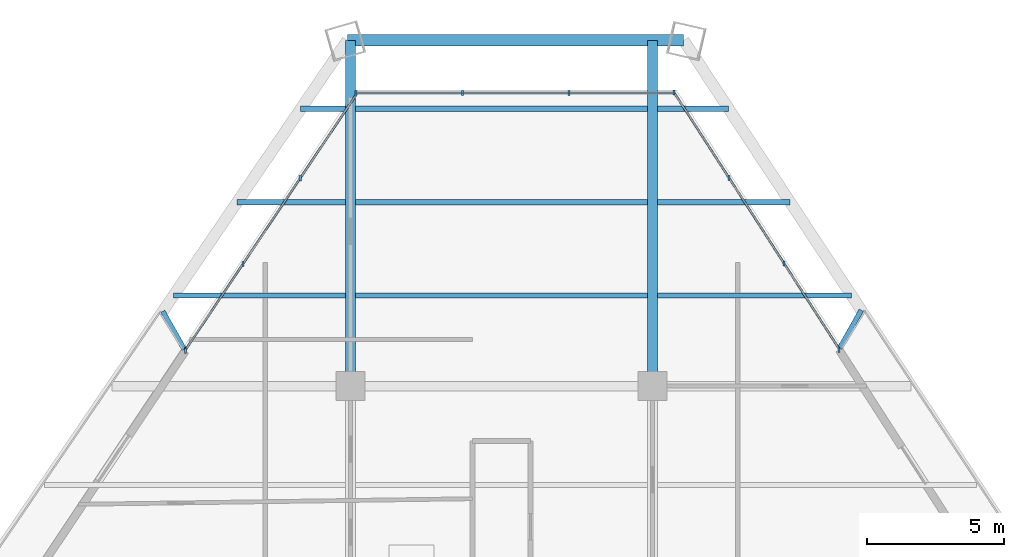
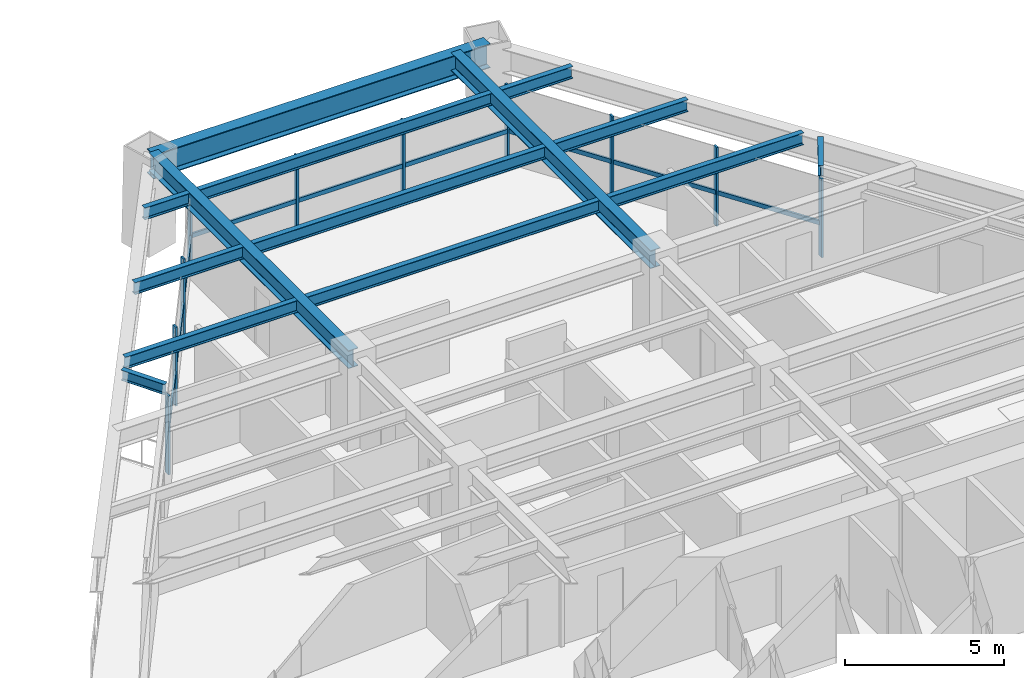
# One storey, part 8 of 14: 20 members, 14 beams, 3 elements without a shape of their own.
"""IFC4 building model written with IfcOpenShell, lengths in metres."""

from ifc_helpers import new_model, si_unit, direction, frame, origin, origin_2d, place, context, subcontext, project, spatial, rectangle, i_section, extrude, source, transform, mapped, material, material_profile, profile_set, type_object, type_shapes, element, aggregate, save


model = new_model("IFC4")

# Units and contexts
model_context = context("Model", 3, precision=1e-05, world=origin(), true_north=direction((0.0, 1.0)))
body_context = subcontext(model_context, "Body", "Model", "MODEL_VIEW")
ifc_project = project(units=[si_unit("LENGTHUNIT", "METRE"), si_unit("AREAUNIT", "SQUARE_METRE"), si_unit("VOLUMEUNIT", "CUBIC_METRE"), si_unit("PLANEANGLEUNIT", "RADIAN"), si_unit("MASSUNIT", "GRAM", prefix="KILO")], contexts=[model_context])

# Site, building, storey
site_placement = place(None, origin())
site = spatial("IfcSite", under=ifc_project, at=site_placement, CompositionType="ELEMENT")
building_placement = place(site_placement, origin())
building = spatial("IfcBuilding", under=site, at=building_placement, Name="Varnakhor Terracotta Tower", CompositionType="ELEMENT")
storey_placement = place(building_placement, frame((0.0, 0.0, 106.199951171875)))
storey = spatial("IfcBuildingStorey", under=building, at=storey_placement, Name="L26", CompositionType="ELEMENT", Elevation=106.199951171875)

# Beams
ifc_material_1 = material(Name="Steel S355", Category="steel")
ifc_material_profile_1 = material_profile(ifc_material_1, i_section(OverallWidth=0.19189453125, OverallDepth=0.462890625, WebThickness=0.010498046875, FlangeThickness=0.017578125, FilletRadius=0.01806640625, at=origin_2d()), Name="W18X60")
ifc_profile_set_1 = profile_set([ifc_material_profile_1], Name="Steel S355")
beam_type_1 = type_object("IfcBeamType", Name="JST-W18X60", PredefinedType="JOIST", material=ifc_profile_set_1)
shared_shape_1 = source(origin(), body_context, "Body", "SweptSolid", [
    extrude(i_section(OverallWidth=0.19189453125, OverallDepth=0.462890625, WebThickness=0.010498046875, FlangeThickness=0.017578125, FilletRadius=0.01806640625, at=origin_2d()), origin(), (0.0, 0.0, 1.0), 10.65283203125),
])
for number, where, z_axis, x_axis, name in (
    (1, (-5.326416015625, 34.800048828125, 3.218505859375), (1.0, 0.0, 0.0), (0.0, 1.0, 0.0), "L26 Composite Floor Joist 7-2"),
    (2, (-5.326416015625, 38.199951171875, 3.218505859375), (1.0, 0.0, 0.0), (0.0, 1.0, 0.0), "L26 Composite Floor Joist 8-2"),
    (3, (-5.326416015625, 41.60009765625, 3.218505859375), (1.0, 0.0, 0.0), (0.0, 1.0, 0.0), "L26 Composite Floor Joist 9-2"),
):
    element("IfcBeam", number, at=place(storey_placement, frame(where, z_axis=z_axis, x_axis=x_axis)), inside=storey, type_object=beam_type_1, Name=name, PredefinedType="JOIST", context=body_context, shape_type="MappedRepresentation", body=[
        mapped(shared_shape_1, transform((0.0, 0.0, 0.0), scale=1.0)),
    ])
ifc_material_profile_2 = material_profile(ifc_material_1, i_section(OverallWidth=0.41796875, OverallDepth=0.927001953125, WebThickness=0.01904296875, FlangeThickness=0.031982421875, FilletRadius=0.01806640625, at=origin_2d()), Name="W36X231")
ifc_profile_set_2 = profile_set([ifc_material_profile_2], Name="Steel S355")
beam_type_2 = type_object("IfcBeamType", Name="BM-W36X231", PredefinedType="BEAM", material=ifc_profile_set_2)
shared_shape_2 = source(origin(), body_context, "Body", "SweptSolid", [
    extrude(i_section(OverallWidth=0.41796875, OverallDepth=0.927001953125, WebThickness=0.01904296875, FlangeThickness=0.031982421875, FilletRadius=0.01806640625, at=origin_2d()), origin(), (0.0, 0.0, 1.0), 12.25146484375),
])
beam_1_placement = place(storey_placement, frame((6.635986328125, 44.09326171875, 2.986572265625), z_axis=(-1.0, 0.0, 0.0), x_axis=(0.0, -1.0, 0.0)))
element("IfcBeam", 4, at=beam_1_placement, inside=storey, type_object=beam_type_2, Name="L26 Perimeter Spandrel 5", PredefinedType="BEAM", context=body_context, shape_type="MappedRepresentation", body=[
    mapped(shared_shape_2, transform((0.0, 0.0, 0.0), scale=1.0)),
])
ifc_material_profile_3 = material_profile(ifc_material_1, i_section(OverallWidth=0.35498046875, OverallDepth=0.695068359375, WebThickness=0.014892578125, FlangeThickness=0.02490234375, FilletRadius=0.01806640625, at=origin_2d()), Name="W27X146")
ifc_profile_set_3 = profile_set([ifc_material_profile_3], Name="Steel S355")
beam_type_3 = type_object("IfcBeamType", Name="BM-W27X146", PredefinedType="BEAM", material=ifc_profile_set_3)
shared_shape_3 = source(origin(), body_context, "Body", "SweptSolid", [
    extrude(i_section(OverallWidth=0.35498046875, OverallDepth=0.695068359375, WebThickness=0.014892578125, FlangeThickness=0.02490234375, FilletRadius=0.01806640625, at=origin_2d()), origin(), (0.0, 0.0, 1.0), 12.59326171875),
])
for number, where, z_axis, x_axis, name in (
    (5, (-5.5, 31.5, 3.1025390625), (0.0, 1.0, 0.0), (-1.0, 0.0, 0.0), "L26 Primary Girder NS3-W"),
    (6, (5.5, 31.5, 3.1025390625), (0.0, 1.0, 0.0), (-1.0, 0.0, 0.0), "L26 Primary Girder NS3-E"),
):
    element("IfcBeam", number, at=place(storey_placement, frame(where, z_axis=z_axis, x_axis=x_axis)), inside=storey, type_object=beam_type_3, Name=name, PredefinedType="BEAM", context=body_context, shape_type="MappedRepresentation", body=[
        mapped(shared_shape_3, transform((0.0, 0.0, 0.0), scale=1.0)),
    ])
shared_shape_4 = source(origin(), body_context, "Body", "SweptSolid", [
    extrude(i_section(OverallWidth=0.19189453125, OverallDepth=0.462890625, WebThickness=0.010498046875, FlangeThickness=0.017578125, FilletRadius=0.01806640625, at=origin_2d()), origin(), (0.0, 0.0, 1.0), 6.272705078125),
])
beam_2_placement = place(storey_placement, frame((-11.9462890625, 34.800048828125, 3.218505859375), z_axis=(1.0, 0.0, 0.0), x_axis=(0.0, 1.0, 0.0)))
element("IfcBeam", 7, at=beam_2_placement, inside=storey, type_object=beam_type_1, Name="L26 Composite Floor Joist 7-1", PredefinedType="JOIST", context=body_context, shape_type="MappedRepresentation", body=[
    mapped(shared_shape_4, transform((0.0, 0.0, 0.0), scale=1.0)),
])
shared_shape_5 = source(origin(), body_context, "Body", "SweptSolid", [
    extrude(i_section(OverallWidth=0.19189453125, OverallDepth=0.462890625, WebThickness=0.010498046875, FlangeThickness=0.017578125, FilletRadius=0.01806640625, at=origin_2d()), origin(), (0.0, 0.0, 1.0), 7.078125),
])
beam_3_placement = place(storey_placement, frame((5.673583984375, 34.800048828125, 3.218505859375), z_axis=(1.0, 0.0, 0.0), x_axis=(0.0, 1.0, 0.0)))
element("IfcBeam", 8, at=beam_3_placement, inside=storey, type_object=beam_type_1, Name="L26 Composite Floor Joist 7-3", PredefinedType="JOIST", context=body_context, shape_type="MappedRepresentation", body=[
    mapped(shared_shape_5, transform((0.0, 0.0, 0.0), scale=1.0)),
])
shared_shape_6 = source(origin(), body_context, "Body", "SweptSolid", [
    extrude(i_section(OverallWidth=0.19189453125, OverallDepth=0.462890625, WebThickness=0.010498046875, FlangeThickness=0.017578125, FilletRadius=0.01806640625, at=origin_2d()), origin(), (0.0, 0.0, 1.0), 3.95654296875),
])
beam_4_placement = place(storey_placement, frame((-9.630126953125, 38.199951171875, 3.218505859375), z_axis=(1.0, 0.0, 0.0), x_axis=(0.0, 1.0, 0.0)))
element("IfcBeam", 9, at=beam_4_placement, inside=storey, type_object=beam_type_1, Name="L26 Composite Floor Joist 8-1", PredefinedType="JOIST", context=body_context, shape_type="MappedRepresentation", body=[
    mapped(shared_shape_6, transform((0.0, 0.0, 0.0), scale=1.0)),
])
shared_shape_7 = source(origin(), body_context, "Body", "SweptSolid", [
    extrude(i_section(OverallWidth=0.19189453125, OverallDepth=0.462890625, WebThickness=0.010498046875, FlangeThickness=0.017578125, FilletRadius=0.01806640625, at=origin_2d()), origin(), (0.0, 0.0, 1.0), 4.840576171875),
])
beam_5_placement = place(storey_placement, frame((5.673583984375, 38.199951171875, 3.218505859375), z_axis=(1.0, 0.0, 0.0), x_axis=(0.0, 1.0, 0.0)))
element("IfcBeam", 10, at=beam_5_placement, inside=storey, type_object=beam_type_1, Name="L26 Composite Floor Joist 8-3", PredefinedType="JOIST", context=body_context, shape_type="MappedRepresentation", body=[
    mapped(shared_shape_7, transform((0.0, 0.0, 0.0), scale=1.0)),
])
shared_shape_8 = source(origin(), body_context, "Body", "SweptSolid", [
    extrude(i_section(OverallWidth=0.19189453125, OverallDepth=0.462890625, WebThickness=0.010498046875, FlangeThickness=0.017578125, FilletRadius=0.01806640625, at=origin_2d()), origin(), (0.0, 0.0, 1.0), 1.640380859375),
])
beam_6_placement = place(storey_placement, frame((-7.31396484375, 41.60009765625, 3.218505859375), z_axis=(1.0, 0.0, 0.0), x_axis=(0.0, 1.0, 0.0)))
element("IfcBeam", 11, at=beam_6_placement, inside=storey, type_object=beam_type_1, Name="L26 Composite Floor Joist 9-1", PredefinedType="JOIST", context=body_context, shape_type="MappedRepresentation", body=[
    mapped(shared_shape_8, transform((0.0, 0.0, 0.0), scale=1.0)),
])
shared_shape_9 = source(origin(), body_context, "Body", "SweptSolid", [
    extrude(i_section(OverallWidth=0.19189453125, OverallDepth=0.462890625, WebThickness=0.010498046875, FlangeThickness=0.017578125, FilletRadius=0.01806640625, at=origin_2d()), origin(), (0.0, 0.0, 1.0), 2.60302734375),
])
beam_7_placement = place(storey_placement, frame((5.673583984375, 41.60009765625, 3.218505859375), z_axis=(1.0, 0.0, 0.0), x_axis=(0.0, 1.0, 0.0)))
element("IfcBeam", 12, at=beam_7_placement, inside=storey, type_object=beam_type_1, Name="L26 Composite Floor Joist 9-3", PredefinedType="JOIST", context=body_context, shape_type="MappedRepresentation", body=[
    mapped(shared_shape_9, transform((0.0, 0.0, 0.0), scale=1.0)),
])

# Curtain wall, members
ifc_material_2 = material(Name="Anodised Aluminium Curtain Wall System", Category="aluminium")
curtain_wall_type = type_object("IfcCurtainWallType", Name="CW-SYS-LOW-OFFICE", PredefinedType="NOTDEFINED", material=ifc_material_2)
curtain_wall_1_placement = place(storey_placement, origin())
curtain_wall_1 = element("IfcCurtainWall", 13, at=curtain_wall_1_placement, inside=storey, type_object=curtain_wall_type, Name="L26 W Facet Curtain Wall 2", PredefinedType="NOTDEFINED")
ifc_material_3 = material(Name="Anodised Aluminium 6063-T6", Category="aluminium")
ifc_material_profile_4 = material_profile(ifc_material_3, rectangle(XDim=0.074951171875, YDim=0.18505859375, at=origin_2d()), Name="ALU MULLION 75x185")
ifc_profile_set_4 = profile_set([ifc_material_profile_4], Name="Anodised Aluminium 6063-T6")
member_type_1 = type_object("IfcMemberType", Name="CWM-02", PredefinedType="MULLION", material=ifc_profile_set_4)
shared_shape_10 = source(origin(), body_context, "Body", "SweptSolid", [
    extrude(rectangle(XDim=0.074951171875, YDim=0.18505859375, at=origin_2d()), origin(), (0.0, 0.0, 1.0), 3.030029296875),
])
type_shapes(member_type_1, [shared_shape_10])
member_1_placement = place(storey_placement, frame((-11.5107421875, 32.81689453125, 0.0), z_axis=(0.0, 0.0, 1.0), x_axis=(1.0, 0.0, 0.0)))
member_1 = element("IfcMember", 14, at=member_1_placement, type_object=member_type_1, Name="L26 W Facet Curtain Wall 2 Mullion 1", PredefinedType="MULLION", context=body_context, shape_type="MappedRepresentation", body=[
    mapped(shared_shape_10, transform((0.0, 0.0, 0.0), scale=1.0)),
])
member_2_placement = place(storey_placement, frame((-9.420166015625, 35.944580078125, 0.0), z_axis=(0.0, 0.0, 1.0), x_axis=(1.0, 0.0, 0.0)))
member_2 = element("IfcMember", 15, at=member_2_placement, type_object=member_type_1, Name="L26 W Facet Curtain Wall 2 Mullion 2", PredefinedType="MULLION", context=body_context, shape_type="MappedRepresentation", body=[
    mapped(shared_shape_10, transform((0.0, 0.0, 0.0), scale=1.0)),
])
member_3_placement = place(storey_placement, frame((-7.329833984375, 39.072265625, 0.0), z_axis=(0.0, 0.0, 1.0), x_axis=(1.0, 0.0, 0.0)))
member_3 = element("IfcMember", 16, at=member_3_placement, type_object=member_type_1, Name="L26 W Facet Curtain Wall 2 Mullion 3", PredefinedType="MULLION", context=body_context, shape_type="MappedRepresentation", body=[
    mapped(shared_shape_10, transform((0.0, 0.0, 0.0), scale=1.0)),
])
member_4_placement = place(storey_placement, frame((-11.5107421875, 32.781005859375, 0.0), z_axis=(0.0, 0.0, 1.0), x_axis=(1.0, 0.0, 0.0)))
member_4 = element("IfcMember", 17, at=member_4_placement, type_object=member_type_1, Name="L26 W Loggia Jamb Closure Mullion 2", PredefinedType="MULLION", context=body_context, shape_type="MappedRepresentation", body=[
    mapped(shared_shape_10, transform((0.0, 0.0, 0.0), scale=1.0)),
])

curtain_wall_2_placement = place(storey_placement, origin())
curtain_wall_2 = element("IfcCurtainWall", 18, at=curtain_wall_2_placement, inside=storey, type_object=curtain_wall_type, Name="L26 Facet Curtain Wall 2", PredefinedType="NOTDEFINED")
member_5_placement = place(storey_placement, frame((-5.29248046875, 42.17138671875, 0.0), z_axis=(0.0, 0.0, 1.0), x_axis=(1.0, 0.0, 0.0)))
member_5 = element("IfcMember", 19, at=member_5_placement, type_object=member_type_1, Name="L26 Facet Curtain Wall 2 Mullion 1", PredefinedType="MULLION", context=body_context, shape_type="MappedRepresentation", body=[
    mapped(shared_shape_10, transform((0.0, 0.0, 0.0), scale=1.0)),
])
member_6_placement = place(storey_placement, frame((-1.41650390625, 42.17138671875, 0.0), z_axis=(0.0, 0.0, 1.0), x_axis=(1.0, 0.0, 0.0)))
member_6 = element("IfcMember", 20, at=member_6_placement, type_object=member_type_1, Name="L26 Facet Curtain Wall 2 Mullion 2", PredefinedType="MULLION", context=body_context, shape_type="MappedRepresentation", body=[
    mapped(shared_shape_10, transform((0.0, 0.0, 0.0), scale=1.0)),
])
member_7_placement = place(storey_placement, frame((2.45947265625, 42.17138671875, 0.0), z_axis=(0.0, 0.0, 1.0), x_axis=(1.0, 0.0, 0.0)))
member_7 = element("IfcMember", 21, at=member_7_placement, type_object=member_type_1, Name="L26 Facet Curtain Wall 2 Mullion 3", PredefinedType="MULLION", context=body_context, shape_type="MappedRepresentation", body=[
    mapped(shared_shape_10, transform((0.0, 0.0, 0.0), scale=1.0)),
])

curtain_wall_3_placement = place(storey_placement, origin())
curtain_wall_3 = element("IfcCurtainWall", 22, at=curtain_wall_3_placement, inside=storey, type_object=curtain_wall_type, Name="L26 E Facet Curtain Wall 1", PredefinedType="NOTDEFINED")
member_8_placement = place(storey_placement, frame((6.28076171875, 42.201171875, 0.0), z_axis=(0.0, 0.0, 1.0), x_axis=(1.0, 0.0, 0.0)))
member_8 = element("IfcMember", 23, at=member_8_placement, type_object=member_type_1, Name="L26 E Facet Curtain Wall 1 Mullion 1", PredefinedType="MULLION", context=body_context, shape_type="MappedRepresentation", body=[
    mapped(shared_shape_10, transform((0.0, 0.0, 0.0), scale=1.0)),
])
member_9_placement = place(storey_placement, frame((8.28564453125, 39.0869140625, 0.0), z_axis=(0.0, 0.0, 1.0), x_axis=(1.0, 0.0, 0.0)))
member_9 = element("IfcMember", 24, at=member_9_placement, type_object=member_type_1, Name="L26 E Facet Curtain Wall 1 Mullion 2", PredefinedType="MULLION", context=body_context, shape_type="MappedRepresentation", body=[
    mapped(shared_shape_10, transform((0.0, 0.0, 0.0), scale=1.0)),
])
member_10_placement = place(storey_placement, frame((10.29052734375, 35.972412109375, 0.0), z_axis=(0.0, 0.0, 1.0), x_axis=(1.0, 0.0, 0.0)))
member_10 = element("IfcMember", 25, at=member_10_placement, type_object=member_type_1, Name="L26 E Facet Curtain Wall 1 Mullion 3", PredefinedType="MULLION", context=body_context, shape_type="MappedRepresentation", body=[
    mapped(shared_shape_10, transform((0.0, 0.0, 0.0), scale=1.0)),
])
member_11_placement = place(storey_placement, frame((12.294921875, 32.82177734375, 0.0), z_axis=(0.0, 0.0, 1.0), x_axis=(1.0, 0.0, 0.0)))
member_11 = element("IfcMember", 26, at=member_11_placement, type_object=member_type_1, Name="L26 E Loggia Jamb Closure Mullion 1", PredefinedType="MULLION", context=body_context, shape_type="MappedRepresentation", body=[
    mapped(shared_shape_10, transform((0.0, 0.0, 0.0), scale=1.0)),
])

# Member
ifc_material_profile_5 = material_profile(ifc_material_3, rectangle(XDim=0.074951171875, YDim=0.1650390625, at=origin_2d()), Name="ALU TRANSOM 75x165")
ifc_profile_set_5 = profile_set([ifc_material_profile_5], Name="Anodised Aluminium 6063-T6")
member_type_2 = type_object("IfcMemberType", Name="CWT-02", PredefinedType="USERDEFINED", material=ifc_profile_set_5)
shared_shape_11 = source(origin(), body_context, "Body", "SweptSolid", [
    extrude(rectangle(XDim=0.074951171875, YDim=0.1650390625, at=origin_2d()), origin(), (0.0, 0.0, 1.0), 3.76171875),
])
member_12_placement = place(storey_placement, frame((-7.329833984375, 39.072265625, 1.272705078125), z_axis=(0.555733165804, 0.831360721003, 0.0), x_axis=(-0.831360721003, 0.555733165804, 0.0)))
member_12 = element("IfcMember", 27, at=member_12_placement, type_object=member_type_2, Name="L26 W Facet Curtain Wall 2 Transom 3", ObjectType="TRANSOM", PredefinedType="USERDEFINED", context=body_context, shape_type="MappedRepresentation", body=[
    mapped(shared_shape_11, transform((0.0, 0.0, 0.0), scale=1.0)),
])

shared_shape_12 = source(origin(), body_context, "Body", "SweptSolid", [
    extrude(rectangle(XDim=0.074951171875, YDim=0.1650390625, at=origin_2d()), origin(), (0.0, 0.0, 1.0), 3.761962890625),
])
member_13_placement = place(storey_placement, frame((-11.5107421875, 32.81689453125, 1.272705078125), z_axis=(0.555703182603, 0.831380762855, 0.0), x_axis=(-0.831380762855, 0.555703182603, 0.0)))
member_13 = element("IfcMember", 28, at=member_13_placement, type_object=member_type_2, Name="L26 W Facet Curtain Wall 2 Transom 1", ObjectType="TRANSOM", PredefinedType="USERDEFINED", context=body_context, shape_type="MappedRepresentation", body=[
    mapped(shared_shape_12, transform((0.0, 0.0, 0.0), scale=1.0)),
])

member_14_placement = place(storey_placement, frame((-9.420166015625, 35.944580078125, 1.272705078125), z_axis=(0.555658324554, 0.83141074467, 0.0), x_axis=(-0.83141074467, 0.555658324554, 0.0)))
member_14 = element("IfcMember", 29, at=member_14_placement, type_object=member_type_2, Name="L26 W Facet Curtain Wall 2 Transom 2", ObjectType="TRANSOM", PredefinedType="USERDEFINED", context=body_context, shape_type="MappedRepresentation", body=[
    mapped(shared_shape_12, transform((0.0, 0.0, 0.0), scale=1.0)),
])

aggregate(curtain_wall_1, [member_1, member_13, member_2, member_14, member_3, member_12, member_4])

shared_shape_13 = source(origin(), body_context, "Body", "SweptSolid", [
    extrude(rectangle(XDim=0.074951171875, YDim=0.1650390625, at=origin_2d()), origin(), (0.0, 0.0, 1.0), 3.8759765625),
])
member_15_placement = place(storey_placement, frame((-5.29248046875, 42.17138671875, 1.272705078125), z_axis=(1.0, 0.0, 0.0), x_axis=(0.0, 1.0, 0.0)))
member_15 = element("IfcMember", 30, at=member_15_placement, type_object=member_type_2, Name="L26 Facet Curtain Wall 2 Transom 1", ObjectType="TRANSOM", PredefinedType="USERDEFINED", context=body_context, shape_type="MappedRepresentation", body=[
    mapped(shared_shape_13, transform((0.0, 0.0, 0.0), scale=1.0)),
])

member_16_placement = place(storey_placement, frame((-1.41650390625, 42.17138671875, 1.272705078125), z_axis=(1.0, 0.0, 0.0), x_axis=(0.0, 1.0, 0.0)))
member_16 = element("IfcMember", 31, at=member_16_placement, type_object=member_type_2, Name="L26 Facet Curtain Wall 2 Transom 2", ObjectType="TRANSOM", PredefinedType="USERDEFINED", context=body_context, shape_type="MappedRepresentation", body=[
    mapped(shared_shape_13, transform((0.0, 0.0, 0.0), scale=1.0)),
])

member_17_placement = place(storey_placement, frame((2.45947265625, 42.17138671875, 1.272705078125), z_axis=(1.0, 0.0, 0.0), x_axis=(0.0, 1.0, 0.0)))
member_17 = element("IfcMember", 32, at=member_17_placement, type_object=member_type_2, Name="L26 Facet Curtain Wall 2 Transom 3", ObjectType="TRANSOM", PredefinedType="USERDEFINED", context=body_context, shape_type="MappedRepresentation", body=[
    mapped(shared_shape_13, transform((0.0, 0.0, 0.0), scale=1.0)),
])

aggregate(curtain_wall_2, [member_5, member_15, member_6, member_16, member_7, member_17])

shared_shape_14 = source(origin(), body_context, "Body", "SweptSolid", [
    extrude(rectangle(XDim=0.074951171875, YDim=0.1650390625, at=origin_2d()), origin(), (0.0, 0.0, 1.0), 3.703857421875),
])
member_18_placement = place(storey_placement, frame((6.28076171875, 42.201171875, 1.272705078125), z_axis=(0.541303844025, -0.84082706215, 0.0), x_axis=(0.84082706215, 0.541303844025, 0.0)))
member_18 = element("IfcMember", 33, at=member_18_placement, type_object=member_type_2, Name="L26 E Facet Curtain Wall 1 Transom 1", ObjectType="TRANSOM", PredefinedType="USERDEFINED", context=body_context, shape_type="MappedRepresentation", body=[
    mapped(shared_shape_14, transform((0.0, 0.0, 0.0), scale=1.0)),
])

shared_shape_15 = source(origin(), body_context, "Body", "SweptSolid", [
    extrude(rectangle(XDim=0.074951171875, YDim=0.1650390625, at=origin_2d()), origin(), (0.0, 0.0, 1.0), 3.7041015625),
])
member_19_placement = place(storey_placement, frame((8.28564453125, 39.0869140625, 1.272705078125), z_axis=(0.54127384405, -0.840846374641, 0.0), x_axis=(0.840846374641, 0.54127384405, 0.0)))
member_19 = element("IfcMember", 34, at=member_19_placement, type_object=member_type_2, Name="L26 E Facet Curtain Wall 1 Transom 2", ObjectType="TRANSOM", PredefinedType="USERDEFINED", context=body_context, shape_type="MappedRepresentation", body=[
    mapped(shared_shape_15, transform((0.0, 0.0, 0.0), scale=1.0)),
])

member_20_placement = place(storey_placement, frame((10.29052734375, 35.972412109375, 1.272705078125), z_axis=(0.54127384405, -0.840846374641, 0.0), x_axis=(0.840846374641, 0.54127384405, 0.0)))
member_20 = element("IfcMember", 35, at=member_20_placement, type_object=member_type_2, Name="L26 E Facet Curtain Wall 1 Transom 3", ObjectType="TRANSOM", PredefinedType="USERDEFINED", context=body_context, shape_type="MappedRepresentation", body=[
    mapped(shared_shape_15, transform((0.0, 0.0, 0.0), scale=1.0)),
])

aggregate(curtain_wall_3, [member_8, member_18, member_9, member_19, member_10, member_20, member_11])

# Beams
ifc_material_profile_6 = material_profile(ifc_material_1, i_section(OverallWidth=0.179931640625, OverallDepth=0.39990234375, WebThickness=0.008544921875, FlangeThickness=0.013427734375, FilletRadius=0.01806640625, at=origin_2d()), Name="IPE400")
ifc_profile_set_6 = profile_set([ifc_material_profile_6], Name="Steel S355")
beam_type_4 = type_object("IfcBeamType", Name="JST-IPE400", PredefinedType="JOIST", material=ifc_profile_set_6)
shared_shape_16 = source(origin(), body_context, "Body", "SweptSolid", [
    extrude(i_section(OverallWidth=0.179931640625, OverallDepth=0.39990234375, WebThickness=0.008544921875, FlangeThickness=0.013427734375, FilletRadius=0.01806640625, at=origin_2d()), origin(), (0.0, 0.0, 1.0), 1.59033203125),
])
beam_8_placement = place(storey_placement, frame((12.319580078125, 32.88134765625, 3.25), z_axis=(0.493093911443, 0.869976088464, 0.0), x_axis=(-0.869976088464, 0.493093911443, 0.0)))
element("IfcBeam", 36, at=beam_8_placement, inside=storey, type_object=beam_type_4, Name="L27 E Loggia Tie Beam 1", PredefinedType="JOIST", context=body_context, shape_type="MappedRepresentation", body=[
    mapped(shared_shape_16, transform((0.0, 0.0, 0.0), scale=1.0)),
])
shared_shape_17 = source(origin(), body_context, "Body", "SweptSolid", [
    extrude(i_section(OverallWidth=0.179931640625, OverallDepth=0.39990234375, WebThickness=0.008544921875, FlangeThickness=0.013427734375, FilletRadius=0.01806640625, at=origin_2d()), origin(), (0.0, 0.0, 1.0), 1.58984375),
])
beam_9_placement = place(storey_placement, frame((-11.5537109375, 32.8408203125, 3.25), z_axis=(-0.494302224488, 0.869290118928, 0.0), x_axis=(-0.869290118928, -0.494302224488, 0.0)))
element("IfcBeam", 37, at=beam_9_placement, inside=storey, type_object=beam_type_4, Name="L27 W Loggia Tie Beam 2", PredefinedType="JOIST", context=body_context, shape_type="MappedRepresentation", body=[
    mapped(shared_shape_17, transform((0.0, 0.0, 0.0), scale=1.0)),
])

save(model, "model.ifc")
